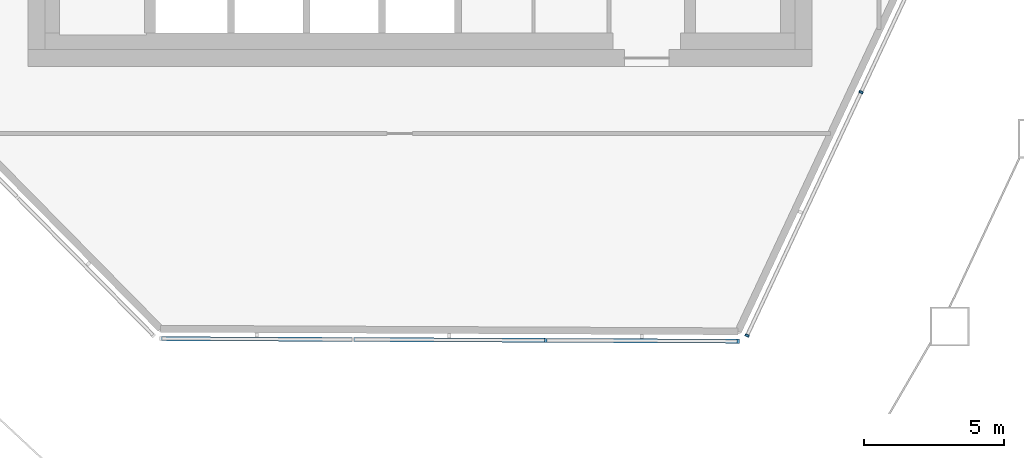
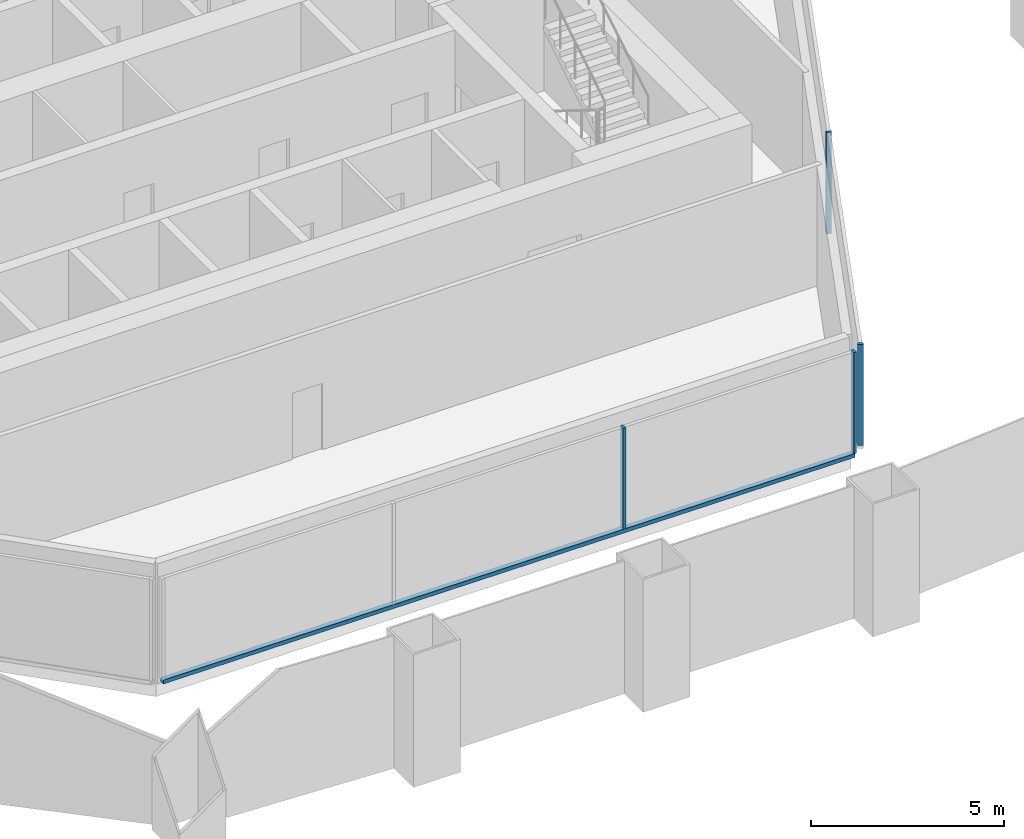
# One storey, part 3 of 18: 5 members, 2 elements without a shape of their own.
"""IFC4 building model written with IfcOpenShell, lengths in metres."""

from ifc_helpers import new_model, si_unit, direction, frame, origin, origin_2d, place, context, subcontext, project, spatial, rectangle, extrude, material, layer, layer_set, material_profile, profile_set, type_object, element, aggregate, save


model = new_model("IFC4")

# Units and contexts
model_context = context("Model", 3, precision=1e-05, world=origin(), true_north=direction((0.0, 1.0)))
body_context = subcontext(model_context, "Body", "Model", "MODEL_VIEW")
ifc_project = project(units=[si_unit("LENGTHUNIT", "METRE"), si_unit("AREAUNIT", "SQUARE_METRE"), si_unit("VOLUMEUNIT", "CUBIC_METRE"), si_unit("PLANEANGLEUNIT", "RADIAN"), si_unit("MASSUNIT", "GRAM", prefix="KILO")], contexts=[model_context])

# Site, building, storey
site_placement = place(None, origin())
site = spatial("IfcSite", under=ifc_project, at=site_placement, CompositionType="ELEMENT")
building_placement = place(site_placement, origin())
building = spatial("IfcBuilding", under=site, at=building_placement, Name="Dongbaek Canopy Tower", CompositionType="ELEMENT")
storey_placement = place(building_placement, frame((0.0, 0.0, 359.0)))
storey = spatial("IfcBuildingStorey", under=building, at=storey_placement, Name="L77", CompositionType="ELEMENT", Elevation=359.0)

# Curtain wall, members
ifc_material_1 = material(Name="Aluminium 6063-T6 pale anodised", Category="aluminium")
ifc_layer = layer(ifc_material_1, 0.14990234375)
ifc_layer_set = layer_set([ifc_layer], Name="CW-7 louvre curtain wall")
curtain_wall_type = type_object("IfcCurtainWallType", Name="CW-7 louvre curtain wall", PredefinedType="NOTDEFINED", material=ifc_layer_set)
curtain_wall_1_placement = place(storey_placement, origin())
curtain_wall_1 = element("IfcCurtainWall", 1, at=curtain_wall_1_placement, inside=storey, type_object=curtain_wall_type, Name="CW-7 louvre wall L77 F0", PredefinedType="NOTDEFINED")
ifc_material_2 = material(Name="Aluminium 6063-T6 pale anodised", Category="aluminium")
ifc_material_profile_1 = material_profile(ifc_material_2, rectangle(XDim=0.14990234375, YDim=0.080078125, at=origin_2d()), Name="CW-7 mullion 80 x 150")
ifc_profile_set_1 = profile_set([ifc_material_profile_1], Name="Aluminium 6063-T6 pale anodised")
member_type_1 = type_object("IfcMemberType", Name="CW-7 mullion 80 x 150", PredefinedType="MULLION", material=ifc_profile_set_1)
member_1_placement = place(storey_placement, frame((4.48828125, -20.7880859375, 0.300048828125), z_axis=(0.0, 0.0, 1.0), x_axis=(-0.004466136555, -0.999990026762, 0.0)))
member_1 = element("IfcMember", 2, at=member_1_placement, type_object=member_type_1, Name="CW-7 mullion L77 F0.1.3", PredefinedType="MULLION", context=body_context, shape_type="SweptSolid", body=[
    extrude(rectangle(XDim=0.14990234375, YDim=0.080078125, at=origin_2d()), origin(), (0.0, 0.0, 1.0), 3.199951171875),
])
member_2_placement = place(storey_placement, frame((11.365966796875, -20.81884765625, 0.300048828125), z_axis=(0.0, 0.0, 1.0), x_axis=(-0.004466136555, -0.999990026762, 0.0)))
member_2 = element("IfcMember", 3, at=member_2_placement, type_object=member_type_1, Name="CW-7 mullion L77 F0.1.4", PredefinedType="MULLION", context=body_context, shape_type="SweptSolid", body=[
    extrude(rectangle(XDim=0.14990234375, YDim=0.080078125, at=origin_2d()), origin(), (0.0, 0.0, 1.0), 3.199951171875),
])

curtain_wall_2_placement = place(storey_placement, origin())
curtain_wall_2 = element("IfcCurtainWall", 4, at=curtain_wall_2_placement, inside=storey, type_object=curtain_wall_type, Name="CW-7 louvre wall L77 F1", PredefinedType="NOTDEFINED")
member_3_placement = place(storey_placement, frame((11.684326171875, -20.6171875, 0.300048828125), z_axis=(0.0, 0.0, 1.0), x_axis=(0.905604659029, -0.42412286138, 0.0)))
member_3 = element("IfcMember", 5, at=member_3_placement, type_object=member_type_1, Name="CW-7 mullion L77 F1.1.1", PredefinedType="MULLION", context=body_context, shape_type="SweptSolid", body=[
    extrude(rectangle(XDim=0.14990234375, YDim=0.080078125, at=origin_2d()), origin(), (0.0, 0.0, 1.0), 3.199951171875),
])
member_4_placement = place(storey_placement, frame((15.756103515625, -11.923095703125, 0.300048828125), z_axis=(0.0, 0.0, 1.0), x_axis=(0.905604659029, -0.42412286138, 0.0)))
member_4 = element("IfcMember", 6, at=member_4_placement, type_object=member_type_1, Name="CW-7 mullion L77 F1.1.2", PredefinedType="MULLION", context=body_context, shape_type="SweptSolid", body=[
    extrude(rectangle(XDim=0.14990234375, YDim=0.080078125, at=origin_2d()), origin(), (0.0, 0.0, 1.0), 3.199951171875),
])
aggregate(curtain_wall_2, [member_3, member_4])

# Member
ifc_material_3 = material(Name="Aluminium 6063-T6 pale anodised", Category="aluminium")
ifc_material_profile_2 = material_profile(ifc_material_3, rectangle(XDim=0.14990234375, YDim=0.1201171875, at=origin_2d()), Name="CW-7 transom 120 x 150")
ifc_profile_set_2 = profile_set([ifc_material_profile_2], Name="Aluminium 6063-T6 pale anodised")
member_type_2 = type_object("IfcMemberType", Name="CW-7 transom 120 x 150", PredefinedType="USERDEFINED", material=ifc_profile_set_2)
member_5_placement = place(storey_placement, frame((-9.267333984375, -20.7265625, 0.239990234375), z_axis=(0.999989997933, -0.004472587018, 0.0), x_axis=(0.004472587018, 0.999989997933, 0.0)))
member_5 = element("IfcMember", 7, at=member_5_placement, type_object=member_type_2, Name="CW-7 transom L77 F0.1", ObjectType="TRANSOM", PredefinedType="USERDEFINED", context=body_context, shape_type="SweptSolid", body=[
    extrude(rectangle(XDim=0.14990234375, YDim=0.1201171875, at=origin_2d()), origin(), (0.0, 0.0, 1.0), 20.633544921875),
])

aggregate(curtain_wall_1, [member_5, member_1, member_2])

save(model, "model.ifc")
